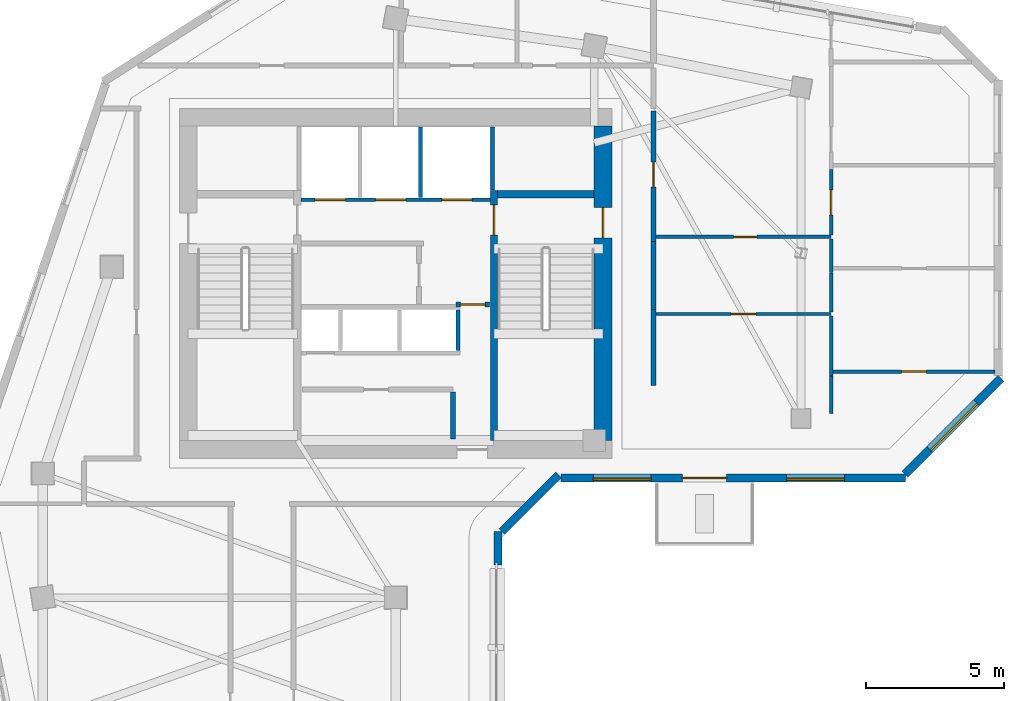
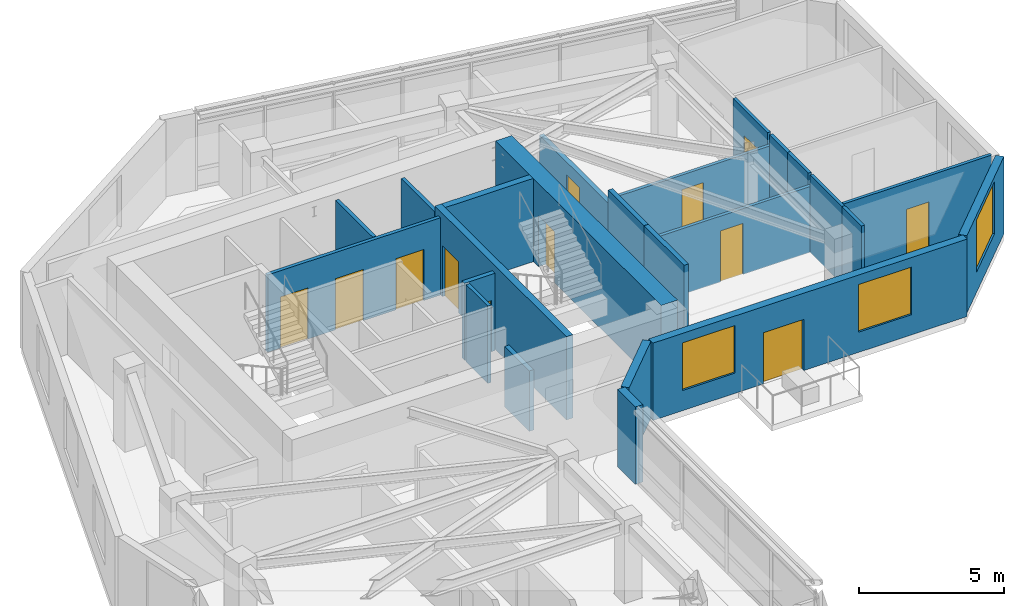
# One storey, part 5 of 9: 24 walls, 12 doors, 3 windows, 15 openings.
"""IFC4 building model written with IfcOpenShell, lengths in metres."""

import ifcopenshell
import ifcopenshell.guid

model = None  # the IFC model being written
_history = None  # IfcOwnerHistory: only IFC2X3 demands one
_inside = {}  # id of a spatial element -> (the spatial element, [elements in it])
_under = {}  # id of a project, library or spatial element -> (it, [spatial elements below it])
_declared = {}  # id of a project -> (the project, [libraries it declares])
_typed = {}  # id of a type object -> (the type object, [elements of that type])
_made_of = {}  # id of a material, layer set ... -> (it, [elements and type objects made of it])


def new_model(schema):
    """Start an empty IFC model of exactly this schema.

    Asked for "IFC4X3", IfcOpenShell would pick the latest addendum, in which some entities
    have other attributes; the version numbers below select the first issue.
    IFC2X3 requires an IfcOwnerHistory on every rooted entity: one is made here for all.
    """
    global model, _history
    if schema == "IFC4X3":
        model = ifcopenshell.file(schema_version=(4, 3, 0, 0))
    else:
        model = ifcopenshell.file(schema=schema)
    _inside.clear()
    _under.clear()
    _declared.clear()
    _typed.clear()
    _made_of.clear()
    _history = None
    if model.schema == "IFC2X3":
        org = make("IfcOrganization", Name="unknown")
        user = make(
            "IfcPersonAndOrganization",
            ThePerson=make("IfcPerson", FamilyName="unknown"),
            TheOrganization=org,
        )
        app = make(
            "IfcApplication",
            ApplicationDeveloper=org,
            Version="unknown",
            ApplicationFullName="unknown",
            ApplicationIdentifier="unknown",
        )
        _history = make(
            "IfcOwnerHistory",
            OwningUser=user,
            OwningApplication=app,
            ChangeAction="ADDED",
            CreationDate=0,
        )
    return model


def make(cls, **values):
    """One entity of the class cls with the attributes given. An attribute that is None is left unset."""
    return model.create_entity(
        cls, **{name: value for name, value in values.items() if value is not None}
    )


def rooted(cls, **values):
    """An entity with a GlobalId (a new one), such as an element, a storey or a relation."""
    return make(cls, GlobalId=ifcopenshell.guid.new(), OwnerHistory=_history, **values)


def si_unit(unit_type, name, prefix=None):
    """IfcSIUnit, for example si_unit("LENGTHUNIT", "METRE", prefix="MILLI")."""
    return make("IfcSIUnit", UnitType=unit_type, Prefix=prefix, Name=name)


def assignment(units):
    """IfcUnitAssignment: the units of a project."""
    return None if units is None else make("IfcUnitAssignment", Units=units)


def point(xyz):
    """IfcCartesianPoint."""
    return None if xyz is None else make("IfcCartesianPoint", Coordinates=xyz)


def direction(xyz):
    """IfcDirection."""
    return None if xyz is None else make("IfcDirection", DirectionRatios=xyz)


def frame(location, z_axis=None, x_axis=None):
    """IfcAxis2Placement3D, a coordinate frame: its origin and axes. An axis left out is left unset."""
    return make(
        "IfcAxis2Placement3D",
        Location=point(location),
        Axis=direction(z_axis),
        RefDirection=direction(x_axis),
    )


def frame_2d(location, x_axis=None):
    """IfcAxis2Placement2D, a coordinate frame in the plane: its origin and x axis."""
    return make(
        "IfcAxis2Placement2D", Location=point(location), RefDirection=direction(x_axis)
    )


def origin():
    """The frame at (0, 0, 0) with its axes left unset."""
    return frame((0.0, 0.0, 0.0))


def place(relative_to, where):
    """IfcLocalPlacement: puts the frame where relative to a parent placement (None: the world)."""
    return make(
        "IfcLocalPlacement", PlacementRelTo=relative_to, RelativePlacement=where
    )


def context(
    kind, dimensions, precision=None, world=None, true_north=None, identifier=None
):
    """IfcGeometricRepresentationContext, for example the 3D "Model" context."""
    return make(
        "IfcGeometricRepresentationContext",
        ContextIdentifier=identifier,
        ContextType=kind,
        CoordinateSpaceDimension=dimensions,
        Precision=precision,
        WorldCoordinateSystem=world,
        TrueNorth=true_north,
    )


def subcontext(parent, identifier, kind, view, scale=None):
    """IfcGeometricRepresentationSubContext, for example "Body" below "Model"."""
    return make(
        "IfcGeometricRepresentationSubContext",
        ContextIdentifier=identifier,
        ContextType=kind,
        ParentContext=parent,
        TargetScale=scale,
        TargetView=view,
    )


def project(units=None, contexts=None):
    """IfcProject with its units and contexts."""
    return rooted(
        "IfcProject",
        Name="project",
        RepresentationContexts=contexts,
        UnitsInContext=assignment(units),
    )


def spatial(cls, under=None, at=None, **own):
    """A site, building, storey or space (cls), placed at a placement, below another one or the project."""
    s = rooted(cls, ObjectPlacement=at, **own)
    if under is not None:
        _under.setdefault(under.id(), (under, []))[1].append(s)
    return s


def profile(cls, at=None, kind="AREA", **sizes):
    """A parametric profile (cls). Its sizes go by their IFC names, for example OverallWidth=200.0."""
    return make(cls, ProfileType=kind, Position=at, **sizes)


def rectangle(**sizes):
    """IfcRectangleProfileDef."""
    return profile("IfcRectangleProfileDef", **sizes)


def extrude(swept, where, along, depth):
    """IfcExtrudedAreaSolid: the profile swept, set in the frame where, extruded along a direction by depth."""
    return make(
        "IfcExtrudedAreaSolid",
        SweptArea=swept,
        Position=where,
        ExtrudedDirection=direction(along),
        Depth=depth,
    )


def shape(context_of_items, identifier, shape_type, items):
    """IfcShapeRepresentation: the items that make up one representation, for example the "Body"."""
    return make(
        "IfcShapeRepresentation",
        ContextOfItems=context_of_items,
        RepresentationIdentifier=identifier,
        RepresentationType=shape_type,
        Items=items,
    )


def source(mapping_origin, context_of_items, identifier, shape_type, items):
    """IfcRepresentationMap: a shape defined once, which mapped items show again and again."""
    return make(
        "IfcRepresentationMap",
        MappingOrigin=mapping_origin,
        MappedRepresentation=shape(context_of_items, identifier, shape_type, items),
    )


def transform(
    local_origin,
    x_axis=None,
    y_axis=None,
    z_axis=None,
    scale=None,
    scale2=None,
    scale3=None,
    uniform=True,
):
    """IfcCartesianTransformationOperator3D, or its non-uniform kind. x_axis, y_axis, z_axis: its Axis1, 2, 3."""
    if uniform:
        return make(
            "IfcCartesianTransformationOperator3D",
            Axis1=direction(x_axis),
            Axis2=direction(y_axis),
            LocalOrigin=point(local_origin),
            Scale=scale,
            Axis3=direction(z_axis),
        )
    return make(
        "IfcCartesianTransformationOperator3DnonUniform",
        Axis1=direction(x_axis),
        Axis2=direction(y_axis),
        LocalOrigin=point(local_origin),
        Scale=scale,
        Axis3=direction(z_axis),
        Scale2=scale2,
        Scale3=scale3,
    )


def mapped(mapping_source, mapping_target):
    """IfcMappedItem: shows the shape of a source again, moved by a transform."""
    return make(
        "IfcMappedItem", MappingSource=mapping_source, MappingTarget=mapping_target
    )


def material(Name=None, Category=None):
    """IfcMaterial."""
    return make("IfcMaterial", Name=Name, Category=Category)


def layer(
    of_material, thickness, ventilated=None, Name=None, Category=None, Priority=None
):
    """IfcMaterialLayer: one layer of a wall or slab, of a material (None: an air gap)."""
    return make(
        "IfcMaterialLayer",
        Material=of_material,
        LayerThickness=thickness,
        IsVentilated=ventilated,
        Name=Name,
        Category=Category,
        Priority=Priority,
    )


def layer_set(layers, Name=None):
    """IfcMaterialLayerSet."""
    return make("IfcMaterialLayerSet", MaterialLayers=layers, LayerSetName=Name)


def made_of(thing, what):
    """Note that an element or type object is made of a material, layer set ...; save() writes the relation."""
    if what is not None:
        _made_of.setdefault(what.id(), (what, []))[1].append(thing)
    return thing


def type_object(cls, material=None, **own):
    """A type object (cls), such as IfcWallType, which elements share."""
    return made_of(rooted(cls, **own), material)


def element(
    cls,
    number,
    at=None,
    inside=None,
    cuts=None,
    type_object=None,
    material=None,
    context=None,
    identifier="Body",
    shape_type=None,
    held_by="IfcProductDefinitionShape",
    body=None,
    shapes=None,
    **own,
):
    """One element of the class cls, such as IfcWall. Its Tag is "e" and its number.

    at: its placement. inside: the storey or other place that contains it. cuts: it is an
    opening in that element (IfcRelVoidsElement). A single representation is given by context,
    identifier, shape_type and body (its items); several are given by shapes. held_by: the class
    of the entity that holds the representations. save() writes the other relations.
    """
    e = rooted(cls, Tag="e%d" % number, ObjectPlacement=at, **own)
    if body is not None:
        shapes = [shape(context, identifier, shape_type, body)]
    if shapes is not None:
        e.Representation = make(held_by, Representations=shapes)
    if inside is not None:
        _inside.setdefault(inside.id(), (inside, []))[1].append(e)
    if cuts is not None:
        rooted(
            "IfcRelVoidsElement", RelatingBuildingElement=cuts, RelatedOpeningElement=e
        )
    if type_object is not None:
        _typed.setdefault(type_object.id(), (type_object, []))[1].append(e)
    return made_of(e, material)


def fill(opening, filler):
    """IfcRelFillsElement: the door or window that sits in an opening."""
    return rooted(
        "IfcRelFillsElement",
        RelatingOpeningElement=opening,
        RelatedBuildingElement=filler,
    )


def aggregate(whole, parts):
    """IfcRelAggregates: a whole, such as a stair, and the parts it consists of."""
    return rooted("IfcRelAggregates", RelatingObject=whole, RelatedObjects=parts)


def save(model, path):
    """Write the relations noted so far, then the file.

    IfcRelAggregates (storeys below a building ...), IfcRelContainedInSpatialStructure (elements
    in a storey), IfcRelDefinesByType, IfcRelAssociatesMaterial and IfcRelDeclares: one each for
    every whole, place, type object, material and project.
    """
    for whole, parts in _under.values():
        aggregate(whole, parts)
    for where, things in _inside.values():
        rooted(
            "IfcRelContainedInSpatialStructure",
            RelatedElements=things,
            RelatingStructure=where,
        )
    for kind, things in _typed.values():
        rooted("IfcRelDefinesByType", RelatedObjects=things, RelatingType=kind)
    for what, things in _made_of.values():
        rooted("IfcRelAssociatesMaterial", RelatedObjects=things, RelatingMaterial=what)
    for by, libraries in _declared.values():
        rooted("IfcRelDeclares", RelatingContext=by, RelatedDefinitions=libraries)
    model.write(path)


model = new_model("IFC4")

# Units and contexts
model_context = context("Model", 3, precision=1e-05, world=origin(), true_north=direction((0.0, 1.0)))
body_context = subcontext(model_context, "Body", "Model", "MODEL_VIEW")
ifc_project = project(units=[si_unit("LENGTHUNIT", "METRE"), si_unit("AREAUNIT", "SQUARE_METRE"), si_unit("VOLUMEUNIT", "CUBIC_METRE"), si_unit("PLANEANGLEUNIT", "RADIAN"), si_unit("MASSUNIT", "GRAM", prefix="KILO")], contexts=[model_context])

# Site, building, storey
site_placement = place(None, origin())
site = spatial("IfcSite", under=ifc_project, at=site_placement, CompositionType="ELEMENT")
building_placement = place(site_placement, origin())
building = spatial("IfcBuilding", under=site, at=building_placement, Name="Calvemar Wedge Station Tower", CompositionType="ELEMENT")
storey_placement = place(building_placement, frame((0.0, 0.0, 225.39990234375)))
storey = spatial("IfcBuildingStorey", under=building, at=storey_placement, Name="L57", CompositionType="ELEMENT", Elevation=225.39990234375)

# Wall, opening, door
ifc_material_1 = material(Name="Concrete C50", Category="concrete")
ifc_layer_1 = layer(ifc_material_1, 0.260009765625)
ifc_layer_set_1 = layer_set([ifc_layer_1], Name="Concrete C50")
wall_type_1 = type_object("IfcWallType", Name="SW-CORE-260", PredefinedType="SHEAR", material=ifc_layer_set_1)
wall_1_placement = place(storey_placement, frame((27.3701171875, 34.199951171875, 0.0), z_axis=(0.0, 0.0, 1.0), x_axis=(0.0, 1.0, 0.0)))
wall_1 = element("IfcWall", 1, at=wall_1_placement, inside=storey, type_object=wall_type_1, Name="Storey L57 Core Shear Wall SPINE-E", PredefinedType="SHEAR", context=body_context, shape_type="SweptSolid", body=[
    extrude(rectangle(XDim=9.06005859375, YDim=0.260009765625, at=frame_2d((4.530029296875, 0.0))), origin(), (0.0, 0.0, 1.0), 3.5),
])
shared_shape_1 = source(origin(), body_context, "Body", "SweptSolid", [
    extrude(rectangle(XDim=1.10009765625, YDim=2.14990234375, at=frame_2d((0.550048828125, 1.074951171875))), frame((0.0, 0.14013671875, 0.0), z_axis=(0.0, -1.0, 0.0), x_axis=(1.0, 0.0, 0.0)), (0.0, 0.0, 1.0), 0.280029296875),
])
opening_1_placement = place(wall_1_placement, frame((7.449951171875, 0.0, 0.0)))
opening_1 = element("IfcOpeningElement", 2, at=opening_1_placement, cuts=wall_1, Name="Opening FD-90", PredefinedType="OPENING", context=body_context, shape_type="MappedRepresentation", body=[
    mapped(shared_shape_1, transform((0.0, 0.0, 0.0), scale=1.0)),
])
ifc_material_2 = material(Name="Galvanized fire-rated steel door leaf P-90", Category="steel")
door_type_1 = type_object("IfcDoorType", Name="DR-FD90-1100", OperationType="NOTDEFINED", PredefinedType="DOOR", material=ifc_material_2)
shared_shape_2 = source(origin(), body_context, "Body", "SweptSolid", [
    extrude(rectangle(XDim=1.10009765625, YDim=2.14990234375, at=frame_2d((0.550048828125, 1.074951171875))), frame((0.0, 0.02490234375, 0.0), z_axis=(0.0, -1.0, 0.0), x_axis=(1.0, 0.0, 0.0)), (0.0, 0.0, 1.0), 0.050048828125),
])
door_1_placement = place(opening_1_placement, origin())
door_1 = element("IfcDoor", 3, at=door_1_placement, inside=storey, type_object=door_type_1, Name="L57 FF Lobby to Stair ST-C2 Door", OperationType="SINGLE_SWING_LEFT", OverallHeight=2.14990234375, OverallWidth=1.10009765625, PredefinedType="DOOR", context=body_context, shape_type="MappedRepresentation", body=[
    mapped(shared_shape_2, transform((0.0, 0.0, 0.0), scale=1.0)),
])
fill(opening_1, door_1)

# Wall
wall_2_placement = place(storey_placement, frame((27.5, 43.1298828125, 0.0), z_axis=(0.0, 0.0, 1.0), x_axis=(1.0, 0.0, 0.0)))
element("IfcWall", 4, at=wall_2_placement, inside=storey, type_object=wall_type_1, Name="Storey L57 Core Shear Wall STC2-N", PredefinedType="SHEAR", context=body_context, shape_type="SweptSolid", body=[
    extrude(rectangle(XDim=3.5, YDim=0.260009765625, at=frame_2d((1.75, 0.0))), origin(), (0.0, 0.0, 1.0), 3.5),
])

# Wall, opening, door
ifc_material_3 = material(Name="Concrete C60", Category="concrete")
ifc_layer_2 = layer(ifc_material_3, 0.64990234375)
ifc_layer_set_2 = layer_set([ifc_layer_2], Name="Concrete C60")
wall_type_2 = type_object("IfcWallType", Name="SW-CORE-650", PredefinedType="SHEAR", material=ifc_layer_set_2)
wall_3_placement = place(storey_placement, frame((31.324951171875, 34.199951171875, 0.0), z_axis=(0.0, 0.0, 1.0), x_axis=(0.0, 1.0, 0.0)))
wall_3 = element("IfcWall", 5, at=wall_3_placement, inside=storey, type_object=wall_type_2, Name="Storey L57 Core Shear Wall E", PredefinedType="SHEAR", context=body_context, shape_type="SweptSolid", body=[
    extrude(rectangle(XDim=11.400146484375, YDim=0.64990234375, at=frame_2d((5.7001953125, 0.0))), origin(), (0.0, 0.0, 1.0), 3.5),
])
shared_shape_3 = source(origin(), body_context, "Body", "SweptSolid", [
    extrude(rectangle(XDim=1.10009765625, YDim=2.14990234375, at=frame_2d((0.550048828125, 1.074951171875))), frame((0.0, 0.3349609375, 0.0), z_axis=(0.0, -1.0, 0.0), x_axis=(1.0, 0.0, 0.0)), (0.0, 0.0, 1.0), 0.669921875),
])
opening_2_placement = place(wall_3_placement, frame((7.35009765625, 0.0, 0.0)))
opening_2 = element("IfcOpeningElement", 6, at=opening_2_placement, cuts=wall_3, Name="Opening FD-90", PredefinedType="OPENING", context=body_context, shape_type="MappedRepresentation", body=[
    mapped(shared_shape_3, transform((0.0, 0.0, 0.0), scale=1.0)),
])
door_2_placement = place(opening_2_placement, origin())
door_2 = element("IfcDoor", 7, at=door_2_placement, inside=storey, type_object=door_type_1, Name="L57 East Corridor to Exit Stair ST-C2 Door", OperationType="SINGLE_SWING_LEFT", OverallHeight=2.14990234375, OverallWidth=1.10009765625, PredefinedType="DOOR", context=body_context, shape_type="MappedRepresentation", body=[
    mapped(shared_shape_2, transform((0.0, 0.0, 0.0), scale=1.0)),
])
fill(opening_2, door_2)

ifc_material_4 = material(Name="Double-stud fire-rated corridor partition")
ifc_layer_3 = layer(ifc_material_4, 0.179931640625)
ifc_layer_set_3 = layer_set([ifc_layer_3], Name="Double-stud fire-rated corridor partition")
wall_type_3 = type_object("IfcWallType", Name="W-CORR-180", PredefinedType="PARTITIONING", material=ifc_layer_set_3)
wall_4_placement = place(storey_placement, frame((27.199951171875, 39.1298828125, 0.0), z_axis=(0.0, 0.0, 1.0), x_axis=(-1.0, 0.0, 0.0)))
wall_4 = element("IfcWall", 8, at=wall_4_placement, inside=storey, type_object=wall_type_3, Name="Storey L57 Interior Partition WL-L57-003", PredefinedType="PARTITIONING", context=body_context, shape_type="SweptSolid", body=[
    extrude(rectangle(XDim=1.2099609375, YDim=0.179931640625, at=frame_2d((0.60498046875, 0.0))), origin(), (0.0, 0.0, 1.0), 3.25),
])
shared_shape_4 = source(origin(), body_context, "Body", "SweptSolid", [
    extrude(rectangle(XDim=0.89990234375, YDim=2.14990234375, at=frame_2d((0.449951171875, 1.074951171875))), frame((0.0, 0.10009765625, 0.0), z_axis=(0.0, -1.0, 0.0), x_axis=(1.0, 0.0, 0.0)), (0.0, 0.0, 1.0), 0.199951171875),
])
opening_3_placement = place(wall_4_placement, frame((0.155029296875, 0.0, 0.0)))
opening_3 = element("IfcOpeningElement", 9, at=opening_3_placement, cuts=wall_4, Name="Opening FD-60", PredefinedType="OPENING", context=body_context, shape_type="MappedRepresentation", body=[
    mapped(shared_shape_4, transform((0.0, 0.0, 0.0), scale=1.0)),
])
ifc_material_5 = material(Name="Fire-rated acoustic timber-core entrance door EI 60", Category="wood")
door_type_2 = type_object("IfcDoorType", Name="DR-FD60-900", OperationType="NOTDEFINED", PredefinedType="DOOR", material=ifc_material_5)
shared_shape_5 = source(origin(), body_context, "Body", "SweptSolid", [
    extrude(rectangle(XDim=0.89990234375, YDim=2.14990234375, at=frame_2d((0.449951171875, 1.074951171875))), frame((0.0, 0.02490234375, 0.0), z_axis=(0.0, -1.0, 0.0), x_axis=(1.0, 0.0, 0.0)), (0.0, 0.0, 1.0), 0.050048828125),
])
door_3_placement = place(opening_3_placement, origin())
door_3 = element("IfcDoor", 10, at=door_3_placement, inside=storey, type_object=door_type_2, Name="L57 Core Service Lobby Door", OperationType="SINGLE_SWING_RIGHT", OverallHeight=2.14990234375, OverallWidth=0.89990234375, PredefinedType="DOOR", context=body_context, shape_type="MappedRepresentation", body=[
    mapped(shared_shape_5, transform((0.0, 0.0, 0.0), scale=1.0)),
])
fill(opening_3, door_3)

# Walls
wall_5_placement = place(storey_placement, frame((25.8798828125, 35.9560546875, 0.0), z_axis=(0.0, 0.0, 1.0), x_axis=(0.0, -1.0, 0.0)))
element("IfcWall", 11, at=wall_5_placement, inside=storey, type_object=wall_type_3, Name="Storey L57 Interior Partition WL-L57-005", PredefinedType="PARTITIONING", context=body_context, shape_type="SweptSolid", body=[
    extrude(rectangle(XDim=1.7060546875, YDim=0.179931640625, at=frame_2d((0.85302734375, 0.0))), origin(), (0.0, 0.0, 1.0), 2.5419921875),
])
wall_6_placement = place(storey_placement, frame((33.14990234375, 38.947998046875, 0.0), z_axis=(0.0, 0.0, 1.0), x_axis=(0.0, -1.0, 0.0)))
element("IfcWall", 12, at=wall_6_placement, inside=storey, type_object=wall_type_3, Name="Storey L57 Interior Partition WL-L57-016", PredefinedType="PARTITIONING", context=body_context, shape_type="SweptSolid", body=[
    extrude(rectangle(XDim=2.748046875, YDim=0.179931640625, at=frame_2d((1.3740234375, 0.0))), origin(), (0.0, 0.0, 1.0), 3.25),
])

# Wall, opening, door
wall_7_placement = place(storey_placement, frame((33.14990234375, 46.156005859375, 0.0), z_axis=(0.0, 0.0, 1.0), x_axis=(0.0, -1.0, 0.0)))
wall_7 = element("IfcWall", 13, at=wall_7_placement, inside=storey, type_object=wall_type_3, Name="Storey L57 Interior Partition WL-L57-017", PredefinedType="PARTITIONING", context=body_context, shape_type="SweptSolid", body=[
    extrude(rectangle(XDim=4.73291015625, YDim=0.179931640625, at=frame_2d((2.366455078125, 0.0))), origin(), (0.0, 0.0, 1.0), 2.68798828125),
])
opening_4_placement = place(wall_7_placement, frame((1.85595703125, 0.0, 0.0)))
opening_4 = element("IfcOpeningElement", 14, at=opening_4_placement, cuts=wall_7, Name="Opening FD-60", PredefinedType="OPENING", context=body_context, shape_type="MappedRepresentation", body=[
    mapped(shared_shape_4, transform((0.0, 0.0, 0.0), scale=1.0)),
])
door_4_placement = place(opening_4_placement, origin())
door_4 = element("IfcDoor", 15, at=door_4_placement, inside=storey, type_object=door_type_2, Name="L57 Living Dining Door", OperationType="SINGLE_SWING_LEFT", OverallHeight=2.14990234375, OverallWidth=0.89990234375, PredefinedType="DOOR", context=body_context, shape_type="MappedRepresentation", body=[
    mapped(shared_shape_5, transform((0.0, 0.0, 0.0), scale=1.0)),
])
fill(opening_4, door_4)

# Walls
wall_8_placement = place(storey_placement, frame((33.14990234375, 41.4208984375, 0.0), z_axis=(0.0, 0.0, 1.0), x_axis=(0.0, -1.0, 0.0)))
element("IfcWall", 16, at=wall_8_placement, inside=storey, type_object=wall_type_3, Name="Storey L57 Interior Partition WL-L57-018", PredefinedType="PARTITIONING", context=body_context, shape_type="SweptSolid", body=[
    extrude(rectangle(XDim=2.470947265625, YDim=0.179931640625, at=frame_2d((1.2353515625, 0.0))), origin(), (0.0, 0.0, 1.0), 3.25),
])
ifc_material_6 = material(Name="Precast concrete C45", Category="concrete")
ifc_layer_4 = layer(ifc_material_6, 0.300048828125)
ifc_layer_set_4 = layer_set([ifc_layer_4], Name="Precast concrete C45")
wall_type_4 = type_object("IfcWallType", Name="W-EXT-GFRC-300", PredefinedType="SOLIDWALL", material=ifc_layer_set_4)
wall_9_placement = place(storey_placement, frame((27.513916015625, 29.676513671875, 0.0), z_axis=(0.0, 0.0, 1.0), x_axis=(0.0, 1.0, 0.0)))
element("IfcWall", 17, at=wall_9_placement, inside=storey, type_object=wall_type_4, Name="Storey L57 Bronze GFRC Corner Pier 4B", PredefinedType="SOLIDWALL", context=body_context, shape_type="SweptSolid", body=[
    extrude(rectangle(XDim=1.2275390625, YDim=0.300048828125, at=frame_2d((0.61376953125, 0.0))), origin(), (0.0, 0.0, 1.0), 3.25),
])
wall_10_placement = place(storey_placement, frame((27.652099609375, 30.89208984375, 0.0), z_axis=(0.0, 0.0, 1.0), x_axis=(0.707106781187, 0.707106781187, 0.0)))
element("IfcWall", 18, at=wall_10_placement, inside=storey, type_object=wall_type_4, Name="Storey L57 Bronze GFRC Exterior Wall 5", PredefinedType="SOLIDWALL", context=body_context, shape_type="SweptSolid", body=[
    extrude(rectangle(XDim=2.907470703125, YDim=0.300048828125, at=frame_2d((1.45361328125, 0.0))), origin(), (0.0, 0.0, 1.0), 3.25),
])

# Wall, openings, windows, door
wall_11_placement = place(storey_placement, frame((29.797119140625, 32.842041015625, 0.0), z_axis=(0.0, 0.0, 1.0), x_axis=(1.0, 0.0, 0.0)))
wall_11 = element("IfcWall", 19, at=wall_11_placement, inside=storey, type_object=wall_type_4, Name="Storey L57 Bronze GFRC Exterior Wall 6", PredefinedType="SOLIDWALL", context=body_context, shape_type="SweptSolid", body=[
    extrude(rectangle(XDim=12.49072265625, YDim=0.300048828125, at=frame_2d((6.245361328125, 0.0))), origin(), (0.0, 0.0, 1.0), 3.25),
])
shared_shape_6 = source(origin(), body_context, "Body", "SweptSolid", [
    extrude(rectangle(XDim=1.60009765625, YDim=2.14990234375, at=frame_2d((0.800048828125, 1.074951171875))), frame((0.0, 0.16015625, 0.0), z_axis=(0.0, -1.0, 0.0), x_axis=(1.0, 0.0, 0.0)), (0.0, 0.0, 1.0), 0.320068359375),
])
opening_5_placement = place(wall_11_placement, frame((4.403076171875, 0.0, 0.0)))
opening_5 = element("IfcOpeningElement", 20, at=opening_5_placement, cuts=wall_11, Name="Opening DT1", PredefinedType="OPENING", context=body_context, shape_type="MappedRepresentation", body=[
    mapped(shared_shape_6, transform((0.0, 0.0, 0.0), scale=1.0)),
])
shared_shape_7 = source(origin(), body_context, "Body", "SweptSolid", [
    extrude(rectangle(XDim=2.10009765625, YDim=2.0, at=frame_2d((1.050048828125, 1.0))), frame((0.0, 0.16015625, 0.0), z_axis=(0.0, -1.0, 0.0), x_axis=(1.0, 0.0, 0.0)), (0.0, 0.0, 1.0), 0.320068359375),
])
opening_6_placement = place(wall_11_placement, frame((1.1708984375, 0.0, 0.85009765625)))
opening_6 = element("IfcOpeningElement", 21, at=opening_6_placement, cuts=wall_11, Name="Opening W4", PredefinedType="OPENING", context=body_context, shape_type="MappedRepresentation", body=[
    mapped(shared_shape_7, transform((0.0, 0.0, 0.0), scale=1.0)),
])
opening_7_placement = place(wall_11_placement, frame((8.177001953125, 0.0, 0.85009765625)))
opening_7 = element("IfcOpeningElement", 22, at=opening_7_placement, cuts=wall_11, Name="Opening W4", PredefinedType="OPENING", context=body_context, shape_type="MappedRepresentation", body=[
    mapped(shared_shape_7, transform((0.0, 0.0, 0.0), scale=1.0)),
])
ifc_material_7 = material(Name="Low-E laminated insulated glass", Category="glass")
window_type_1 = type_object("IfcWindowType", Name="WIN-EXT-4", PartitioningType="SINGLE_PANEL", PredefinedType="WINDOW", material=ifc_material_7)
shared_shape_8 = source(origin(), body_context, "Body", "SweptSolid", [
    extrude(rectangle(XDim=2.10009765625, YDim=2.0, at=frame_2d((1.050048828125, 1.0))), frame((0.0, -0.014892578125, 0.0), z_axis=(0.0, -1.0, 0.0), x_axis=(1.0, 0.0, 0.0)), (0.0, 0.0, 1.0), 0.06005859375),
])
window_1_placement = place(opening_6_placement, origin())
window_1 = element("IfcWindow", 23, at=window_1_placement, inside=storey, type_object=window_type_1, Name="Storey L57 Recessed Window 6.1", OverallHeight=2.0, OverallWidth=2.10009765625, PartitioningType="SINGLE_PANEL", PredefinedType="WINDOW", context=body_context, shape_type="MappedRepresentation", body=[
    mapped(shared_shape_8, transform((0.0, 0.0, 0.0), scale=1.0)),
])
fill(opening_6, window_1)
window_2_placement = place(opening_7_placement, origin())
window_2 = element("IfcWindow", 24, at=window_2_placement, inside=storey, type_object=window_type_1, Name="Storey L57 Recessed Window 6.2", OverallHeight=2.0, OverallWidth=2.10009765625, PartitioningType="SINGLE_PANEL", PredefinedType="WINDOW", context=body_context, shape_type="MappedRepresentation", body=[
    mapped(shared_shape_8, transform((0.0, 0.0, 0.0), scale=1.0)),
])
fill(opening_7, window_2)
ifc_material_8 = material(Name="Anodised aluminium 6063-T6", Category="aluminium")
door_type_3 = type_object("IfcDoorType", Name="DR-TERR-1600", OperationType="DOUBLE_DOOR_SLIDING", PredefinedType="DOOR", material=ifc_material_8)
shared_shape_9 = source(origin(), body_context, "Body", "SweptSolid", [
    extrude(rectangle(XDim=1.60009765625, YDim=2.14990234375, at=frame_2d((0.800048828125, 1.074951171875))), frame((0.0, 0.02490234375, 0.0), z_axis=(0.0, -1.0, 0.0), x_axis=(1.0, 0.0, 0.0)), (0.0, 0.0, 1.0), 0.050048828125),
])
door_5_placement = place(opening_5_placement, origin())
door_5 = element("IfcDoor", 25, at=door_5_placement, inside=storey, type_object=door_type_3, Name="Storey L57 Spiral Terrace Door", OperationType="DOUBLE_DOOR_SLIDING", OverallHeight=2.14990234375, OverallWidth=1.60009765625, PredefinedType="DOOR", context=body_context, shape_type="MappedRepresentation", body=[
    mapped(shared_shape_9, transform((0.0, 0.0, 0.0), scale=1.0)),
])
fill(opening_5, door_5)

# Wall, opening, window
wall_12_placement = place(storey_placement, frame((42.27587890625, 32.97998046875, 0.0), z_axis=(0.0, 0.0, 1.0), x_axis=(0.707106781187, 0.707106781187, 0.0)))
wall_12 = element("IfcWall", 26, at=wall_12_placement, inside=storey, type_object=wall_type_4, Name="Storey L57 Bronze GFRC Exterior Wall 7", PredefinedType="SOLIDWALL", context=body_context, shape_type="SweptSolid", body=[
    extrude(rectangle(XDim=4.921875, YDim=0.300048828125, at=frame_2d((2.4609375, 0.0))), origin(), (0.0, 0.0, 1.0), 3.25),
])
shared_shape_10 = source(origin(), body_context, "Body", "SweptSolid", [
    extrude(rectangle(XDim=2.39990234375, YDim=2.199951171875, at=frame_2d((1.199951171875, 1.10009765625))), frame((0.0, 0.16015625, 0.0), z_axis=(0.0, -1.0, 0.0), x_axis=(1.0, 0.0, 0.0)), (0.0, 0.0, 1.0), 0.320068359375),
])
opening_8_placement = place(wall_12_placement, frame((1.260986328125, 0.0, 0.85009765625)))
opening_8 = element("IfcOpeningElement", 27, at=opening_8_placement, cuts=wall_12, Name="Opening W1", PredefinedType="OPENING", context=body_context, shape_type="MappedRepresentation", body=[
    mapped(shared_shape_10, transform((0.0, 0.0, 0.0), scale=1.0)),
])
window_type_2 = type_object("IfcWindowType", Name="WIN-EXT-1", PartitioningType="SINGLE_PANEL", PredefinedType="WINDOW", material=ifc_material_7)
shared_shape_11 = source(origin(), body_context, "Body", "SweptSolid", [
    extrude(rectangle(XDim=2.39990234375, YDim=2.199951171875, at=frame_2d((1.199951171875, 1.10009765625))), frame((0.0, -0.014892578125, 0.0), z_axis=(0.0, -1.0, 0.0), x_axis=(1.0, 0.0, 0.0)), (0.0, 0.0, 1.0), 0.06005859375),
])
window_3_placement = place(opening_8_placement, origin())
window_3 = element("IfcWindow", 28, at=window_3_placement, inside=storey, type_object=window_type_2, Name="Storey L57 Recessed Window 7.1", OverallHeight=2.199951171875, OverallWidth=2.39990234375, PartitioningType="SINGLE_PANEL", PredefinedType="WINDOW", context=body_context, shape_type="MappedRepresentation", body=[
    mapped(shared_shape_11, transform((0.0, 0.0, 0.0), scale=1.0)),
])
fill(opening_8, window_3)

# Wall, openings, doors
ifc_material_9 = material(Name="Reinforced concrete blockwork lift shaft wall", Category="masonry")
ifc_layer_5 = layer(ifc_material_9, 0.139892578125)
ifc_layer_set_5 = layer_set([ifc_layer_5], Name="Reinforced concrete blockwork lift shaft wall")
wall_type_5 = type_object("IfcWallType", Name="W-LIFT-160", PredefinedType="SOLIDWALL", material=ifc_layer_set_5)
wall_13_placement = place(storey_placement, frame((20.3701171875, 42.929931640625, 0.0), z_axis=(0.0, 0.0, 1.0), x_axis=(1.0, 0.0, 0.0)))
wall_13 = element("IfcWall", 29, at=wall_13_placement, inside=storey, type_object=wall_type_5, Name="Storey L57 Firefighting and Service Lift Shaft Front Wall", PredefinedType="SOLIDWALL", context=body_context, shape_type="SweptSolid", body=[
    extrude(rectangle(XDim=6.85986328125, YDim=0.139892578125, at=frame_2d((3.429931640625, 0.0))), origin(), (0.0, 0.0, 1.0), 3.25),
])
shared_shape_12 = source(origin(), body_context, "Body", "SweptSolid", [
    extrude(rectangle(XDim=1.10009765625, YDim=2.14990234375, at=frame_2d((0.550048828125, 1.074951171875))), frame((0.0, 0.080078125, 0.0), z_axis=(0.0, -1.0, 0.0), x_axis=(1.0, 0.0, 0.0)), (0.0, 0.0, 1.0), 0.159912109375),
])
opening_9_placement = place(wall_13_placement, frame((0.5, 0.0, 0.0)))
opening_9 = element("IfcOpeningElement", 30, at=opening_9_placement, cuts=wall_13, Name="Opening LD-FF", PredefinedType="OPENING", context=body_context, shape_type="MappedRepresentation", body=[
    mapped(shared_shape_12, transform((0.0, 0.0, 0.0), scale=1.0)),
])
opening_10_placement = place(wall_13_placement, frame((2.699951171875, 0.0, 0.0)))
opening_10 = element("IfcOpeningElement", 31, at=opening_10_placement, cuts=wall_13, Name="Opening LD-FF", PredefinedType="OPENING", context=body_context, shape_type="MappedRepresentation", body=[
    mapped(shared_shape_12, transform((0.0, 0.0, 0.0), scale=1.0)),
])
opening_11_placement = place(wall_13_placement, frame((5.10009765625, 0.0, 0.0)))
opening_11 = element("IfcOpeningElement", 32, at=opening_11_placement, cuts=wall_13, Name="Opening LD-STN", PredefinedType="OPENING", context=body_context, shape_type="MappedRepresentation", body=[
    mapped(shared_shape_12, transform((0.0, 0.0, 0.0), scale=1.0)),
])
ifc_material_10 = material(Name="Stainless steel firefighting lift sliding landing door", Category="steel")
door_type_4 = type_object("IfcDoorType", Name="DR-LD-FF-1100", OperationType="SLIDING_TO_LEFT", PredefinedType="DOOR", material=ifc_material_10)
shared_shape_13 = source(origin(), body_context, "Body", "SweptSolid", [
    extrude(rectangle(XDim=1.10009765625, YDim=2.14990234375, at=frame_2d((0.550048828125, 1.074951171875))), frame((0.0, 0.02490234375, 0.0), z_axis=(0.0, -1.0, 0.0), x_axis=(1.0, 0.0, 0.0)), (0.0, 0.0, 1.0), 0.050048828125),
])
door_6_placement = place(opening_9_placement, origin())
door_6 = element("IfcDoor", 33, at=door_6_placement, inside=storey, type_object=door_type_4, Name="L57 Lift FF-01 Sliding Landing Door", OperationType="SLIDING_TO_LEFT", OverallHeight=2.14990234375, OverallWidth=1.10009765625, PredefinedType="DOOR", context=body_context, shape_type="MappedRepresentation", body=[
    mapped(shared_shape_13, transform((0.0, 0.0, 0.0), scale=1.0)),
])
fill(opening_9, door_6)
door_7_placement = place(opening_10_placement, origin())
door_7 = element("IfcDoor", 34, at=door_7_placement, inside=storey, type_object=door_type_4, Name="L57 Lift FF-02 Sliding Landing Door", OperationType="SLIDING_TO_RIGHT", OverallHeight=2.14990234375, OverallWidth=1.10009765625, PredefinedType="DOOR", context=body_context, shape_type="MappedRepresentation", body=[
    mapped(shared_shape_13, transform((0.0, 0.0, 0.0), scale=1.0)),
])
fill(opening_10, door_7)
ifc_material_11 = material(Name="Stainless steel transit lift sliding landing door", Category="steel")
door_type_5 = type_object("IfcDoorType", Name="DR-LD-PAX-1100", OperationType="SLIDING_TO_LEFT", PredefinedType="DOOR", material=ifc_material_11)
shared_shape_14 = source(origin(), body_context, "Body", "SweptSolid", [
    extrude(rectangle(XDim=1.10009765625, YDim=2.14990234375, at=frame_2d((0.550048828125, 1.074951171875))), frame((0.0, 0.02490234375, 0.0), z_axis=(0.0, -1.0, 0.0), x_axis=(1.0, 0.0, 0.0)), (0.0, 0.0, 1.0), 0.050048828125),
])
door_8_placement = place(opening_11_placement, origin())
door_8 = element("IfcDoor", 35, at=door_8_placement, inside=storey, type_object=door_type_5, Name="L57 Lift SV-01 Sliding Landing Door", OperationType="SLIDING_TO_LEFT", OverallHeight=2.14990234375, OverallWidth=1.10009765625, PredefinedType="DOOR", context=body_context, shape_type="MappedRepresentation", body=[
    mapped(shared_shape_14, transform((0.0, 0.0, 0.0), scale=1.0)),
])
fill(opening_11, door_8)

# Walls
wall_14_placement = place(storey_placement, frame((27.31005859375, 43.280029296875, 0.0), z_axis=(0.0, 0.0, 1.0), x_axis=(0.0, 1.0, 0.0)))
element("IfcWall", 36, at=wall_14_placement, inside=storey, type_object=wall_type_5, Name="Storey L57 Firefighting Lift Shaft Enclosure Wall E", PredefinedType="SOLIDWALL", context=body_context, shape_type="SweptSolid", body=[
    extrude(rectangle(XDim=2.300048828125, YDim=0.139892578125, at=frame_2d((1.14990234375, 0.0))), origin(), (0.0, 0.0, 1.0), 3.25),
])
wall_15_placement = place(storey_placement, frame((24.699951171875, 43.02001953125, 0.0), z_axis=(0.0, 0.0, 1.0), x_axis=(0.0, 1.0, 0.0)))
element("IfcWall", 37, at=wall_15_placement, inside=storey, type_object=wall_type_5, Name="Storey L57 Firefighting Lift Shaft Enclosure Wall D2", PredefinedType="SOLIDWALL", context=body_context, shape_type="SweptSolid", body=[
    extrude(rectangle(XDim=2.56005859375, YDim=0.139892578125, at=frame_2d((1.280029296875, 0.0))), origin(), (0.0, 0.0, 1.0), 3.25),
])
wall_16_placement = place(storey_placement, frame((26.06005859375, 37.4599609375, 0.0), z_axis=(0.0, 0.0, 1.0), x_axis=(0.0, 1.0, 0.0)))
element("IfcWall", 38, at=wall_16_placement, inside=storey, type_object=wall_type_5, Name="Storey L57 Upper Passenger Lift Shaft Wall E", PredefinedType="SOLIDWALL", context=body_context, shape_type="SweptSolid", body=[
    extrude(rectangle(XDim=1.47998046875, YDim=0.139892578125, at=frame_2d((0.739990234375, 0.0))), origin(), (0.0, 0.0, 1.0), 3.25),
])

# Wall, opening, door
ifc_material_12 = material(Name="Insulated acoustic gypsum stud partition")
ifc_layer_6 = layer(ifc_material_12, 0.125)
ifc_layer_set_6 = layer_set([ifc_layer_6], Name="Insulated acoustic gypsum stud partition")
wall_type_6 = type_object("IfcWallType", Name="W-PART-125", PredefinedType="PARTITIONING", material=ifc_layer_set_6)
wall_17_placement = place(storey_placement, frame((33.243896484375, 38.7880859375, 0.0), z_axis=(0.0, 0.0, 1.0), x_axis=(1.0, 0.0, 0.0)))
wall_17 = element("IfcWall", 39, at=wall_17_placement, inside=storey, type_object=wall_type_6, Name="Storey L57 Interior Partition WL-L57-023", PredefinedType="PARTITIONING", context=body_context, shape_type="SweptSolid", body=[
    extrude(rectangle(XDim=6.34619140625, YDim=0.125, at=frame_2d((3.173095703125, 0.0))), origin(), (0.0, 0.0, 1.0), 2.76611328125),
])
shared_shape_15 = source(origin(), body_context, "Body", "SweptSolid", [
    extrude(rectangle(XDim=0.89990234375, YDim=2.14990234375, at=frame_2d((0.449951171875, 1.074951171875))), frame((0.0, 0.072509765625, 0.0), z_axis=(0.0, -1.0, 0.0), x_axis=(1.0, 0.0, 0.0)), (0.0, 0.0, 1.0), 0.14501953125),
])
opening_12_placement = place(wall_17_placement, frame((2.722900390625, 0.0, 0.0)))
opening_12 = element("IfcOpeningElement", 40, at=opening_12_placement, cuts=wall_17, Name="Opening D-01", PredefinedType="OPENING", context=body_context, shape_type="MappedRepresentation", body=[
    mapped(shared_shape_15, transform((0.0, 0.0, 0.0), scale=1.0)),
])
ifc_material_13 = material(Name="Architectural hardwood acoustic swing door", Category="wood")
door_type_6 = type_object("IfcDoorType", Name="DR-INT-900", OperationType="NOTDEFINED", PredefinedType="DOOR", material=ifc_material_13)
shared_shape_16 = source(origin(), body_context, "Body", "SweptSolid", [
    extrude(rectangle(XDim=0.89990234375, YDim=2.14990234375, at=frame_2d((0.449951171875, 1.074951171875))), frame((0.0, 0.02490234375, 0.0), z_axis=(0.0, -1.0, 0.0), x_axis=(1.0, 0.0, 0.0)), (0.0, 0.0, 1.0), 0.050048828125),
])
door_9_placement = place(opening_12_placement, origin())
door_9 = element("IfcDoor", 41, at=door_9_placement, inside=storey, type_object=door_type_6, Name="L57 Study Door", OperationType="SINGLE_SWING_RIGHT", OverallHeight=2.14990234375, OverallWidth=0.89990234375, PredefinedType="DOOR", context=body_context, shape_type="MappedRepresentation", body=[
    mapped(shared_shape_16, transform((0.0, 0.0, 0.0), scale=1.0)),
])
fill(opening_12, door_9)

# Walls
wall_18_placement = place(storey_placement, frame((39.590087890625, 38.721435546875, 0.0), z_axis=(0.0, 0.0, 1.0), x_axis=(0.0, -1.0, 0.0)))
element("IfcWall", 42, at=wall_18_placement, inside=storey, type_object=wall_type_6, Name="Storey L57 Interior Partition WL-L57-024", PredefinedType="PARTITIONING", context=body_context, shape_type="SweptSolid", body=[
    extrude(rectangle(XDim=2.180419921875, YDim=0.125, at=frame_2d((1.09033203125, 0.0))), origin(), (0.0, 0.0, 1.0), 3.25),
])
wall_19_placement = place(storey_placement, frame((39.590087890625, 36.5390625, 0.0), z_axis=(0.0, 0.0, 1.0), x_axis=(0.0, -1.0, 0.0)))
element("IfcWall", 43, at=wall_19_placement, inside=storey, type_object=wall_type_6, Name="Storey L57 Interior Partition WL-L57-025", PredefinedType="PARTITIONING", context=body_context, shape_type="SweptSolid", body=[
    extrude(rectangle(XDim=1.35107421875, YDim=0.125, at=frame_2d((0.675537109375, 0.0))), origin(), (0.0, 0.0, 1.0), 3.25),
])

# Wall, opening, door
wall_20_placement = place(storey_placement, frame((39.590087890625, 41.5830078125, 0.0), z_axis=(0.0, 0.0, 1.0), x_axis=(-1.0, 0.0, 0.0)))
wall_20 = element("IfcWall", 44, at=wall_20_placement, inside=storey, type_object=wall_type_6, Name="Storey L57 Interior Partition WL-L57-026", PredefinedType="PARTITIONING", context=body_context, shape_type="SweptSolid", body=[
    extrude(rectangle(XDim=6.34619140625, YDim=0.125, at=frame_2d((3.173095703125, 0.0))), origin(), (0.0, 0.0, 1.0), 2.76611328125),
])
shared_shape_17 = source(origin(), body_context, "Body", "SweptSolid", [
    extrude(rectangle(XDim=0.85009765625, YDim=2.14990234375, at=frame_2d((0.425048828125, 1.074951171875))), frame((0.0, 0.072509765625, 0.0), z_axis=(0.0, -1.0, 0.0), x_axis=(1.0, 0.0, 0.0)), (0.0, 0.0, 1.0), 0.14501953125),
])
opening_13_placement = place(wall_20_placement, frame((2.687744140625, 0.0, 0.0)))
opening_13 = element("IfcOpeningElement", 45, at=opening_13_placement, cuts=wall_20, Name="Opening D-02", PredefinedType="OPENING", context=body_context, shape_type="MappedRepresentation", body=[
    mapped(shared_shape_17, transform((0.0, 0.0, 0.0), scale=1.0)),
])
ifc_material_14 = material(Name="Moisture-sealed bathroom hardwood swing door", Category="wood")
door_type_7 = type_object("IfcDoorType", Name="DR-WET-850", OperationType="NOTDEFINED", PredefinedType="DOOR", material=ifc_material_14)
shared_shape_18 = source(origin(), body_context, "Body", "SweptSolid", [
    extrude(rectangle(XDim=0.85009765625, YDim=2.14990234375, at=frame_2d((0.425048828125, 1.074951171875))), frame((0.0, 0.02490234375, 0.0), z_axis=(0.0, -1.0, 0.0), x_axis=(1.0, 0.0, 0.0)), (0.0, 0.0, 1.0), 0.050048828125),
])
door_10_placement = place(opening_13_placement, origin())
door_10 = element("IfcDoor", 46, at=door_10_placement, inside=storey, type_object=door_type_7, Name="L57 Kitchen Door", OperationType="SINGLE_SWING_RIGHT", OverallHeight=2.14990234375, OverallWidth=0.85009765625, PredefinedType="DOOR", context=body_context, shape_type="MappedRepresentation", body=[
    mapped(shared_shape_18, transform((0.0, 0.0, 0.0), scale=1.0)),
])
fill(opening_13, door_10)

wall_21_placement = place(storey_placement, frame((39.590087890625, 44.027099609375, 0.0), z_axis=(0.0, 0.0, 1.0), x_axis=(0.0, -1.0, 0.0)))
wall_21 = element("IfcWall", 47, at=wall_21_placement, inside=storey, type_object=wall_type_6, Name="Storey L57 Interior Partition WL-L57-029", PredefinedType="PARTITIONING", context=body_context, shape_type="SweptSolid", body=[
    extrude(rectangle(XDim=2.377685546875, YDim=0.125, at=frame_2d((1.18896484375, 0.0))), origin(), (0.0, 0.0, 1.0), 3.25),
])
opening_14_placement = place(wall_21_placement, frame((0.73876953125, 0.0, 0.0)))
opening_14 = element("IfcOpeningElement", 48, at=opening_14_placement, cuts=wall_21, Name="Opening D-01", PredefinedType="OPENING", context=body_context, shape_type="MappedRepresentation", body=[
    mapped(shared_shape_15, transform((0.0, 0.0, 0.0), scale=1.0)),
])
door_11_placement = place(opening_14_placement, origin())
door_11 = element("IfcDoor", 49, at=door_11_placement, inside=storey, type_object=door_type_6, Name="L57 Bedroom Door", OperationType="SINGLE_SWING_LEFT", OverallHeight=2.14990234375, OverallWidth=0.89990234375, PredefinedType="DOOR", context=body_context, shape_type="MappedRepresentation", body=[
    mapped(shared_shape_16, transform((0.0, 0.0, 0.0), scale=1.0)),
])
fill(opening_14, door_11)

# Walls
wall_22_placement = place(storey_placement, frame((39.590087890625, 41.5166015625, 0.0), z_axis=(0.0, 0.0, 1.0), x_axis=(0.0, -1.0, 0.0)))
element("IfcWall", 50, at=wall_22_placement, inside=storey, type_object=wall_type_6, Name="Storey L57 Interior Partition WL-L57-030", PredefinedType="PARTITIONING", context=body_context, shape_type="SweptSolid", body=[
    extrude(rectangle(XDim=1.231689453125, YDim=0.125, at=frame_2d((0.61572265625, 0.0))), origin(), (0.0, 0.0, 1.0), 3.25),
])
wall_23_placement = place(storey_placement, frame((39.590087890625, 40.282958984375, 0.0), z_axis=(0.0, 0.0, 1.0), x_axis=(0.0, -1.0, 0.0)))
element("IfcWall", 51, at=wall_23_placement, inside=storey, type_object=wall_type_6, Name="Storey L57 Interior Partition WL-L57-031", PredefinedType="PARTITIONING", context=body_context, shape_type="SweptSolid", body=[
    extrude(rectangle(XDim=1.428466796875, YDim=0.125, at=frame_2d((0.71435546875, 0.0))), origin(), (0.0, 0.0, 1.0), 3.25),
])

# Wall, opening, door
wall_24_placement = place(storey_placement, frame((45.534912109375, 36.700927734375, 0.0), z_axis=(0.0, 0.0, 1.0), x_axis=(-1.0, 0.0, 0.0)))
wall_24 = element("IfcWall", 52, at=wall_24_placement, inside=storey, type_object=wall_type_6, Name="Storey L57 Interior Partition WL-L57-035", PredefinedType="PARTITIONING", context=body_context, shape_type="SweptSolid", body=[
    extrude(rectangle(XDim=5.87841796875, YDim=0.125, at=frame_2d((2.939208984375, 0.0))), origin(), (0.0, 0.0, 1.0), 3.25),
])
opening_15_placement = place(wall_24_placement, frame((2.4892578125, 0.0, 0.0)))
opening_15 = element("IfcOpeningElement", 53, at=opening_15_placement, cuts=wall_24, Name="Opening D-01", PredefinedType="OPENING", context=body_context, shape_type="MappedRepresentation", body=[
    mapped(shared_shape_15, transform((0.0, 0.0, 0.0), scale=1.0)),
])
door_12_placement = place(opening_15_placement, origin())
door_12 = element("IfcDoor", 54, at=door_12_placement, inside=storey, type_object=door_type_6, Name="L57 Study Door", OperationType="SINGLE_SWING_LEFT", OverallHeight=2.14990234375, OverallWidth=0.89990234375, PredefinedType="DOOR", context=body_context, shape_type="MappedRepresentation", body=[
    mapped(shared_shape_16, transform((0.0, 0.0, 0.0), scale=1.0)),
])
fill(opening_15, door_12)

save(model, "model.ifc")
